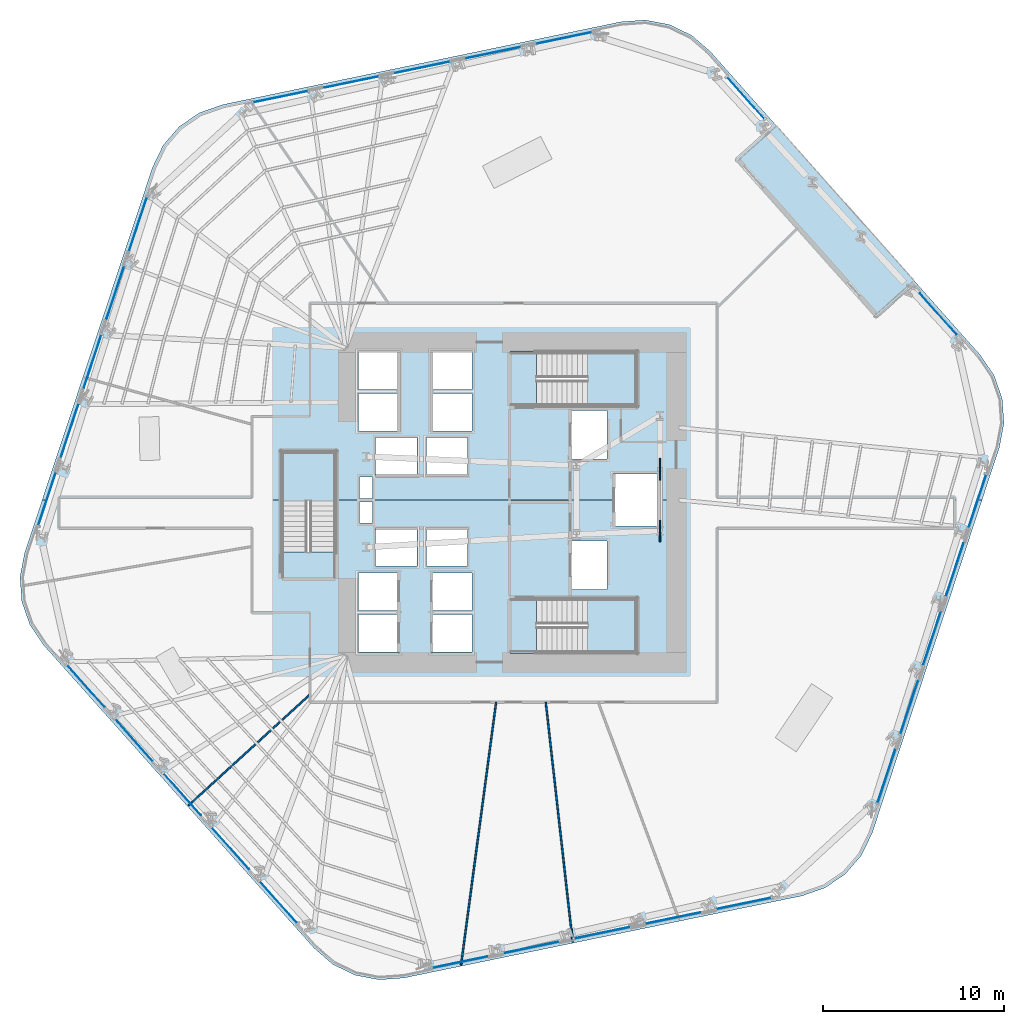
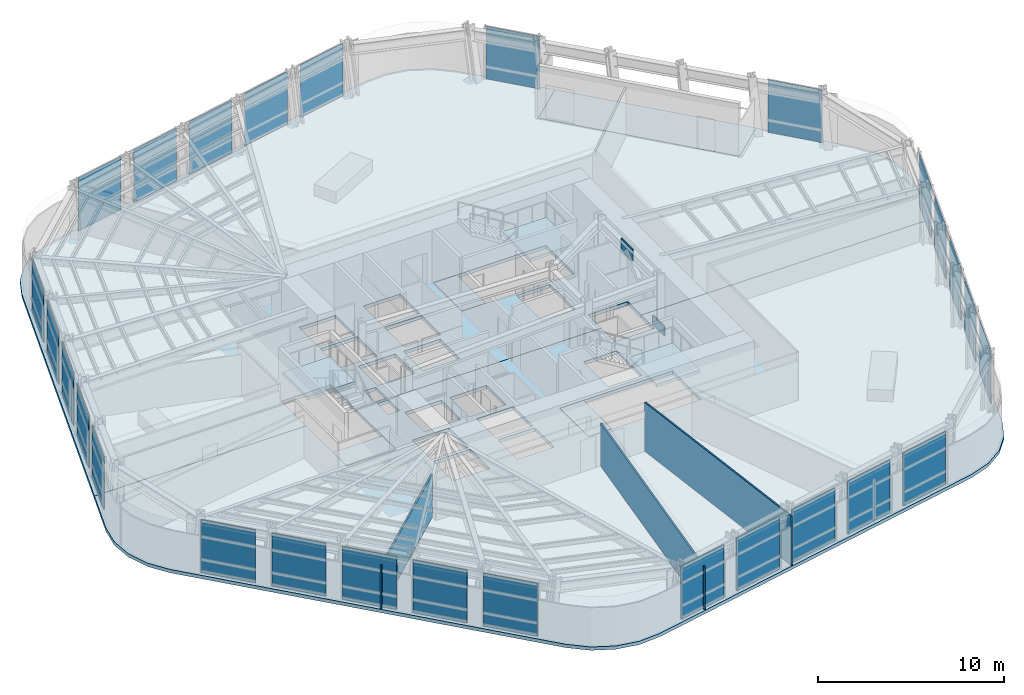
# One storey, part 7 of 17: 29 plates, 9 slabs, 3 walls, 9 elements without a shape of their own.
"""IFC4 building model written with IfcOpenShell, lengths in metres."""

from ifc_helpers import new_model, si_unit, direction, frame, frame_2d, origin, origin_2d, place, context, subcontext, project, spatial, polyline, rectangle, outline, extrude, material, layer, layer_set, type_object, element, aggregate, save


model = new_model("IFC4")

# Units and contexts
model_context = context("Model", 3, precision=1e-05, world=origin(), true_north=direction((0.0, 1.0)))
body_context = subcontext(model_context, "Body", "Model", "MODEL_VIEW")
ifc_project = project(units=[si_unit("LENGTHUNIT", "METRE"), si_unit("AREAUNIT", "SQUARE_METRE"), si_unit("VOLUMEUNIT", "CUBIC_METRE"), si_unit("PLANEANGLEUNIT", "RADIAN"), si_unit("MASSUNIT", "GRAM", prefix="KILO")], contexts=[model_context])

# Site, building, storey
site_placement = place(None, origin())
site = spatial("IfcSite", under=ifc_project, at=site_placement, CompositionType="ELEMENT")
building_placement = place(site_placement, origin())
building = spatial("IfcBuilding", under=site, at=building_placement, Name="Valkerne Bourse Tower", CompositionType="ELEMENT")
storey_placement = place(building_placement, frame((0.0, 0.0, 73.39990234375)))
storey = spatial("IfcBuildingStorey", under=building, at=storey_placement, Name="L18", CompositionType="ELEMENT", Elevation=73.39990234375)

# Curtain wall, plates
ifc_material_1 = material(Name="Aluminium AA 6063-T6", Category="aluminium")
ifc_layer_1 = layer(ifc_material_1, 0.22509765625)
ifc_layer_set_1 = layer_set([ifc_layer_1], Name="Aluminium AA 6063-T6")
curtain_wall_type = type_object("IfcCurtainWallType", Name="CW-01", PredefinedType="NOTDEFINED", material=ifc_layer_set_1)
curtain_wall_1_placement = place(storey_placement, origin())
curtain_wall_1 = element("IfcCurtainWall", 1, at=curtain_wall_1_placement, inside=storey, type_object=curtain_wall_type, Name="L18 Hexagonal Stick Curtain Wall Face 1", PredefinedType="NOTDEFINED")
ifc_material_2 = material(Name="Glass IGU Low-E Double Glazed", Category="glass")
ifc_layer_2 = layer(ifc_material_2, 0.031982421875)
ifc_layer_set_2 = layer_set([ifc_layer_2], Name="Glass IGU Low-E Double Glazed")
plate_type_1 = type_object("IfcPlateType", Name="CW-PNL-IGU-32", PredefinedType="CURTAIN_PANEL", material=ifc_layer_set_2)
plate_1_placement = place(storey_placement, frame((70.313720703125, 37.24609375, 0.030029296875), z_axis=(0.0, 0.0, 1.0), x_axis=(-0.66521771062, 0.746649447517, 0.0)))
plate_1 = element("IfcPlate", 2, at=plate_1_placement, type_object=plate_type_1, Name="CW-L18-F1 Curtain Panel 00", PredefinedType="CURTAIN_PANEL", context=body_context, shape_type="SweptSolid", body=[
    extrude(rectangle(XDim=3.075927734375, YDim=0.031982421875, at=origin_2d()), origin(), (0.0, 0.0, 1.0), 3.4599609375),
])
plate_2_placement = place(storey_placement, frame((59.680908203125, 49.180419921875, 0.030029296875), z_axis=(0.0, 0.0, 1.0), x_axis=(-0.665231661406, 0.746637018011, 0.0)))
plate_2 = element("IfcPlate", 3, at=plate_2_placement, type_object=plate_type_1, Name="CW-L18-F1 Curtain Panel 04", PredefinedType="CURTAIN_PANEL", context=body_context, shape_type="SweptSolid", body=[
    extrude(rectangle(XDim=3.075927734375, YDim=0.031982421875, at=origin_2d()), origin(), (0.0, 0.0, 1.0), 3.4599609375),
])
aggregate(curtain_wall_1, [plate_1, plate_2])

curtain_wall_2_placement = place(storey_placement, origin())
curtain_wall_2 = element("IfcCurtainWall", 4, at=curtain_wall_2_placement, inside=storey, type_object=curtain_wall_type, Name="L18 Hexagonal Stick Curtain Wall Face 2", PredefinedType="NOTDEFINED")
plate_3_placement = place(storey_placement, frame((49.68359375, 52.486572265625, 0.030029296875), z_axis=(0.0, 0.0, 1.0), x_axis=(-0.97922496445, -0.202776894635, 0.0)))
plate_3 = element("IfcPlate", 5, at=plate_3_placement, type_object=plate_type_1, Name="CW-L18-F2 Curtain Panel 00", PredefinedType="CURTAIN_PANEL", context=body_context, shape_type="SweptSolid", body=[
    extrude(rectangle(XDim=3.076171875, YDim=0.031982421875, at=origin_2d()), origin(), (0.0, 0.0, 1.0), 3.4599609375),
])
plate_4_placement = place(storey_placement, frame((45.7705078125, 51.67626953125, 0.030029296875), z_axis=(0.0, 0.0, 1.0), x_axis=(-0.979223935426, -0.202781863804, 0.0)))
plate_4 = element("IfcPlate", 6, at=plate_4_placement, type_object=plate_type_1, Name="CW-L18-F2 Curtain Panel 01", PredefinedType="CURTAIN_PANEL", context=body_context, shape_type="SweptSolid", body=[
    extrude(rectangle(XDim=3.075927734375, YDim=0.031982421875, at=origin_2d()), origin(), (0.0, 0.0, 1.0), 3.4599609375),
])
plate_5_placement = place(storey_placement, frame((41.857666015625, 50.86572265625, 0.030029296875), z_axis=(0.0, 0.0, 1.0), x_axis=(-0.97921999513, -0.202800890378, 0.0)))
plate_5 = element("IfcPlate", 7, at=plate_5_placement, type_object=plate_type_1, Name="CW-L18-F2 Curtain Panel 02", PredefinedType="CURTAIN_PANEL", context=body_context, shape_type="SweptSolid", body=[
    extrude(rectangle(XDim=3.076171875, YDim=0.031982421875, at=origin_2d()), origin(), (0.0, 0.0, 1.0), 3.4599609375),
])
plate_6_placement = place(storey_placement, frame((37.944580078125, 50.055419921875, 0.030029296875), z_axis=(0.0, 0.0, 1.0), x_axis=(-0.97922496445, -0.202776894635, 0.0)))
plate_6 = element("IfcPlate", 8, at=plate_6_placement, type_object=plate_type_1, Name="CW-L18-F2 Curtain Panel 03", PredefinedType="CURTAIN_PANEL", context=body_context, shape_type="SweptSolid", body=[
    extrude(rectangle(XDim=3.076171875, YDim=0.031982421875, at=origin_2d()), origin(), (0.0, 0.0, 1.0), 3.4599609375),
])
plate_7_placement = place(storey_placement, frame((34.031494140625, 49.2451171875, 0.030029296875), z_axis=(0.0, 0.0, 1.0), x_axis=(-0.97921999513, -0.202800890378, 0.0)))
plate_7 = element("IfcPlate", 9, at=plate_7_placement, type_object=plate_type_1, Name="CW-L18-F2 Curtain Panel 04", PredefinedType="CURTAIN_PANEL", context=body_context, shape_type="SweptSolid", body=[
    extrude(rectangle(XDim=3.076171875, YDim=0.031982421875, at=origin_2d()), origin(), (0.0, 0.0, 1.0), 3.4599609375),
])
aggregate(curtain_wall_2, [plate_3, plate_4, plate_5, plate_6, plate_7])

curtain_wall_3_placement = place(storey_placement, origin())
curtain_wall_3 = element("IfcCurtainWall", 10, at=curtain_wall_3_placement, inside=storey, type_object=curtain_wall_type, Name="L18 Hexagonal Stick Curtain Wall Face 3", PredefinedType="NOTDEFINED")
plate_8_placement = place(storey_placement, frame((26.169921875, 42.240478515625, 0.030029296875), z_axis=(0.0, 0.0, 1.0), x_axis=(-0.31398964478, -0.949426407349, 0.0)))
plate_8 = element("IfcPlate", 11, at=plate_8_placement, type_object=plate_type_1, Name="CW-L18-F3 Curtain Panel 00", PredefinedType="CURTAIN_PANEL", context=body_context, shape_type="SweptSolid", body=[
    extrude(rectangle(XDim=3.075927734375, YDim=0.031982421875, at=origin_2d()), origin(), (0.0, 0.0, 1.0), 3.4599609375),
])
plate_9_placement = place(storey_placement, frame((24.9150390625, 38.446533203125, 0.030029296875), z_axis=(0.0, 0.0, 1.0), x_axis=(-0.31398964478, -0.949426407349, 0.0)))
plate_9 = element("IfcPlate", 12, at=plate_9_placement, type_object=plate_type_1, Name="CW-L18-F3 Curtain Panel 01", PredefinedType="CURTAIN_PANEL", context=body_context, shape_type="SweptSolid", body=[
    extrude(rectangle(XDim=3.075927734375, YDim=0.031982421875, at=origin_2d()), origin(), (0.0, 0.0, 1.0), 3.4599609375),
])
plate_10_placement = place(storey_placement, frame((23.660400390625, 34.652587890625, 0.030029296875), z_axis=(0.0, 0.0, 1.0), x_axis=(-0.31398964478, -0.949426407349, 0.0)))
plate_10 = element("IfcPlate", 13, at=plate_10_placement, type_object=plate_type_1, Name="CW-L18-F3 Curtain Panel 02", PredefinedType="CURTAIN_PANEL", context=body_context, shape_type="SweptSolid", body=[
    extrude(rectangle(XDim=3.075927734375, YDim=0.031982421875, at=origin_2d()), origin(), (0.0, 0.0, 1.0), 3.4599609375),
])
plate_11_placement = place(storey_placement, frame((22.40576171875, 30.85888671875, 0.030029296875), z_axis=(0.0, 0.0, 1.0), x_axis=(-0.314012202372, -0.949418946915, 0.0)))
plate_11 = element("IfcPlate", 14, at=plate_11_placement, type_object=plate_type_1, Name="CW-L18-F3 Curtain Panel 03", PredefinedType="CURTAIN_PANEL", context=body_context, shape_type="SweptSolid", body=[
    extrude(rectangle(XDim=3.075927734375, YDim=0.031982421875, at=origin_2d()), origin(), (0.0, 0.0, 1.0), 3.4599609375),
])
plate_12_placement = place(storey_placement, frame((21.15087890625, 27.06494140625, 0.030029296875), z_axis=(0.0, 0.0, 1.0), x_axis=(-0.31398964478, -0.949426407349, 0.0)))
plate_12 = element("IfcPlate", 15, at=plate_12_placement, type_object=plate_type_1, Name="CW-L18-F3 Curtain Panel 04", PredefinedType="CURTAIN_PANEL", context=body_context, shape_type="SweptSolid", body=[
    extrude(rectangle(XDim=3.075927734375, YDim=0.031982421875, at=origin_2d()), origin(), (0.0, 0.0, 1.0), 3.4599609375),
])
aggregate(curtain_wall_3, [plate_8, plate_9, plate_10, plate_11, plate_12])

curtain_wall_4_placement = place(storey_placement, origin())
curtain_wall_4 = element("IfcCurtainWall", 16, at=curtain_wall_4_placement, inside=storey, type_object=curtain_wall_type, Name="L18 Hexagonal Stick Curtain Wall Face 4", PredefinedType="NOTDEFINED")
plate_13_placement = place(storey_placement, frame((23.2861328125, 16.75390625, 0.030029296875), z_axis=(0.0, 0.0, 1.0), x_axis=(0.66521771062, -0.746649447517, 0.0)))
plate_13 = element("IfcPlate", 17, at=plate_13_placement, type_object=plate_type_1, Name="CW-L18-F4 Curtain Panel 00", PredefinedType="CURTAIN_PANEL", context=body_context, shape_type="SweptSolid", body=[
    extrude(rectangle(XDim=3.075927734375, YDim=0.031982421875, at=origin_2d()), origin(), (0.0, 0.0, 1.0), 3.4599609375),
])
plate_14_placement = place(storey_placement, frame((25.9443359375, 13.7705078125, 0.030029296875), z_axis=(0.0, 0.0, 1.0), x_axis=(0.665231661406, -0.746637018011, 0.0)))
plate_14 = element("IfcPlate", 18, at=plate_14_placement, type_object=plate_type_1, Name="CW-L18-F4 Curtain Panel 01", PredefinedType="CURTAIN_PANEL", context=body_context, shape_type="SweptSolid", body=[
    extrude(rectangle(XDim=3.075927734375, YDim=0.031982421875, at=origin_2d()), origin(), (0.0, 0.0, 1.0), 3.4599609375),
])
plate_15_placement = place(storey_placement, frame((28.602783203125, 10.786865234375, 0.030029296875), z_axis=(0.0, 0.0, 1.0), x_axis=(0.665244090986, -0.746625943434, 0.0)))
plate_15 = element("IfcPlate", 19, at=plate_15_placement, type_object=plate_type_1, Name="CW-L18-F4 Curtain Panel 02", PredefinedType="CURTAIN_PANEL", context=body_context, shape_type="SweptSolid", body=[
    extrude(rectangle(XDim=3.075927734375, YDim=0.031982421875, at=origin_2d()), origin(), (0.0, 0.0, 1.0), 3.4599609375),
])
plate_16_placement = place(storey_placement, frame((31.260986328125, 7.80322265625, 0.030029296875), z_axis=(0.0, 0.0, 1.0), x_axis=(0.66521771062, -0.746649447517, 0.0)))
plate_16 = element("IfcPlate", 20, at=plate_16_placement, type_object=plate_type_1, Name="CW-L18-F4 Curtain Panel 03", PredefinedType="CURTAIN_PANEL", context=body_context, shape_type="SweptSolid", body=[
    extrude(rectangle(XDim=3.075927734375, YDim=0.031982421875, at=origin_2d()), origin(), (0.0, 0.0, 1.0), 3.4599609375),
])
plate_17_placement = place(storey_placement, frame((33.919189453125, 4.819580078125, 0.030029296875), z_axis=(0.0, 0.0, 1.0), x_axis=(0.665231661406, -0.746637018011, 0.0)))
plate_17 = element("IfcPlate", 21, at=plate_17_placement, type_object=plate_type_1, Name="CW-L18-F4 Curtain Panel 04", PredefinedType="CURTAIN_PANEL", context=body_context, shape_type="SweptSolid", body=[
    extrude(rectangle(XDim=3.075927734375, YDim=0.031982421875, at=origin_2d()), origin(), (0.0, 0.0, 1.0), 3.4599609375),
])
aggregate(curtain_wall_4, [plate_13, plate_14, plate_15, plate_16, plate_17])

curtain_wall_5_placement = place(storey_placement, origin())
curtain_wall_5 = element("IfcCurtainWall", 22, at=curtain_wall_5_placement, inside=storey, type_object=curtain_wall_type, Name="L18 Hexagonal Stick Curtain Wall Face 5", PredefinedType="NOTDEFINED")
plate_18_placement = place(storey_placement, frame((43.91650390625, 1.513427734375, 0.030029296875), z_axis=(0.0, 0.0, 1.0), x_axis=(0.97922496445, 0.202776894635, 0.0)))
plate_18 = element("IfcPlate", 23, at=plate_18_placement, type_object=plate_type_1, Name="CW-L18-F5 Curtain Panel 00", PredefinedType="CURTAIN_PANEL", context=body_context, shape_type="SweptSolid", body=[
    extrude(rectangle(XDim=3.076171875, YDim=0.031982421875, at=origin_2d()), origin(), (0.0, 0.0, 1.0), 3.4599609375),
])
plate_19_placement = place(storey_placement, frame((47.829345703125, 2.32373046875, 0.030029296875), z_axis=(0.0, 0.0, 1.0), x_axis=(0.979223935426, 0.202781863804, 0.0)))
plate_19 = element("IfcPlate", 24, at=plate_19_placement, type_object=plate_type_1, Name="CW-L18-F5 Curtain Panel 01", PredefinedType="CURTAIN_PANEL", context=body_context, shape_type="SweptSolid", body=[
    extrude(rectangle(XDim=3.075927734375, YDim=0.031982421875, at=origin_2d()), origin(), (0.0, 0.0, 1.0), 3.4599609375),
])
plate_20_placement = place(storey_placement, frame((51.742431640625, 3.134033203125, 0.030029296875), z_axis=(0.0, 0.0, 1.0), x_axis=(0.97921999513, 0.202800890378, 0.0)))
plate_20 = element("IfcPlate", 25, at=plate_20_placement, type_object=plate_type_1, Name="CW-L18-F5 Curtain Panel 02", PredefinedType="CURTAIN_PANEL", context=body_context, shape_type="SweptSolid", body=[
    extrude(rectangle(XDim=3.076171875, YDim=0.031982421875, at=origin_2d()), origin(), (0.0, 0.0, 1.0), 3.4599609375),
])
plate_21_placement = place(storey_placement, frame((55.6552734375, 3.944580078125, 0.030029296875), z_axis=(0.0, 0.0, 1.0), x_axis=(0.97922496445, 0.202776894635, 0.0)))
plate_21 = element("IfcPlate", 26, at=plate_21_placement, type_object=plate_type_1, Name="CW-L18-F5 Curtain Panel 03", PredefinedType="CURTAIN_PANEL", context=body_context, shape_type="SweptSolid", body=[
    extrude(rectangle(XDim=3.076171875, YDim=0.031982421875, at=origin_2d()), origin(), (0.0, 0.0, 1.0), 3.4599609375),
])
plate_22_placement = place(storey_placement, frame((59.568359375, 4.7548828125, 0.030029296875), z_axis=(0.0, 0.0, 1.0), x_axis=(0.97921999513, 0.202800890378, 0.0)))
plate_22 = element("IfcPlate", 27, at=plate_22_placement, type_object=plate_type_1, Name="CW-L18-F5 Curtain Panel 04", PredefinedType="CURTAIN_PANEL", context=body_context, shape_type="SweptSolid", body=[
    extrude(rectangle(XDim=3.076171875, YDim=0.031982421875, at=origin_2d()), origin(), (0.0, 0.0, 1.0), 3.4599609375),
])
aggregate(curtain_wall_5, [plate_18, plate_19, plate_20, plate_21, plate_22])

curtain_wall_6_placement = place(storey_placement, origin())
curtain_wall_6 = element("IfcCurtainWall", 28, at=curtain_wall_6_placement, inside=storey, type_object=curtain_wall_type, Name="L18 Hexagonal Stick Curtain Wall Face 6", PredefinedType="NOTDEFINED")
plate_23_placement = place(storey_placement, frame((67.43017578125, 11.759521484375, 0.030029296875), z_axis=(0.0, 0.0, 1.0), x_axis=(0.31398964478, 0.949426407349, 0.0)))
plate_23 = element("IfcPlate", 29, at=plate_23_placement, type_object=plate_type_1, Name="CW-L18-F6 Curtain Panel 00", PredefinedType="CURTAIN_PANEL", context=body_context, shape_type="SweptSolid", body=[
    extrude(rectangle(XDim=3.075927734375, YDim=0.031982421875, at=origin_2d()), origin(), (0.0, 0.0, 1.0), 3.4599609375),
])
plate_24_placement = place(storey_placement, frame((68.684814453125, 15.553466796875, 0.030029296875), z_axis=(0.0, 0.0, 1.0), x_axis=(0.31398964478, 0.949426407349, 0.0)))
plate_24 = element("IfcPlate", 30, at=plate_24_placement, type_object=plate_type_1, Name="CW-L18-F6 Curtain Panel 01", PredefinedType="CURTAIN_PANEL", context=body_context, shape_type="SweptSolid", body=[
    extrude(rectangle(XDim=3.075927734375, YDim=0.031982421875, at=origin_2d()), origin(), (0.0, 0.0, 1.0), 3.4599609375),
])
plate_25_placement = place(storey_placement, frame((69.939453125, 19.347412109375, 0.030029296875), z_axis=(0.0, 0.0, 1.0), x_axis=(0.31398964478, 0.949426407349, 0.0)))
plate_25 = element("IfcPlate", 31, at=plate_25_placement, type_object=plate_type_1, Name="CW-L18-F6 Curtain Panel 02", PredefinedType="CURTAIN_PANEL", context=body_context, shape_type="SweptSolid", body=[
    extrude(rectangle(XDim=3.075927734375, YDim=0.031982421875, at=origin_2d()), origin(), (0.0, 0.0, 1.0), 3.4599609375),
])
plate_26_placement = place(storey_placement, frame((71.1943359375, 23.14111328125, 0.030029296875), z_axis=(0.0, 0.0, 1.0), x_axis=(0.314012202372, 0.949418946915, 0.0)))
plate_26 = element("IfcPlate", 32, at=plate_26_placement, type_object=plate_type_1, Name="CW-L18-F6 Curtain Panel 03", PredefinedType="CURTAIN_PANEL", context=body_context, shape_type="SweptSolid", body=[
    extrude(rectangle(XDim=3.075927734375, YDim=0.031982421875, at=origin_2d()), origin(), (0.0, 0.0, 1.0), 3.4599609375),
])
plate_27_placement = place(storey_placement, frame((72.448974609375, 26.93505859375, 0.030029296875), z_axis=(0.0, 0.0, 1.0), x_axis=(0.31398964478, 0.949426407349, 0.0)))
plate_27 = element("IfcPlate", 33, at=plate_27_placement, type_object=plate_type_1, Name="CW-L18-F6 Curtain Panel 04", PredefinedType="CURTAIN_PANEL", context=body_context, shape_type="SweptSolid", body=[
    extrude(rectangle(XDim=3.075927734375, YDim=0.031982421875, at=origin_2d()), origin(), (0.0, 0.0, 1.0), 3.4599609375),
])
aggregate(curtain_wall_6, [plate_23, plate_24, plate_25, plate_26, plate_27])

# Plates
ifc_material_3 = material(Name="Steel ASTM A572 Grade 50", Category="steel")
ifc_layer_3 = layer(ifc_material_3, 0.06005859375)
ifc_layer_set_3 = layer_set([ifc_layer_3], Name="Steel ASTM A572 Grade 50")
plate_type_2 = type_object("IfcPlateType", Name="PLT-GUS-60", PredefinedType="SHEET", material=ifc_layer_set_3)
for number, where, z_axis, x_axis, name in (
    (34, (54.949951171875, 25.300048828125, -0.1796875), (0.0, 0.0, 1.0), (0.0, 1.0, 0.0), "L18 Brace Node Gusset Plate PLT-GUS-END-L18-352"),
    (35, (54.949951171875, 28.699951171875, 2.81396484375), (0.0, 0.0, 1.0), (0.0, 1.0, 0.0), "L18 Brace Node Gusset Plate PLT-GUS-END-L18-353"),
):
    element("IfcPlate", number, at=place(storey_placement, frame(where, z_axis=z_axis, x_axis=x_axis)), inside=storey, type_object=plate_type_2, Name=name, PredefinedType="SHEET", context=body_context, shape_type="SweptSolid", body=[
        extrude(rectangle(XDim=1.199951171875, YDim=0.06005859375, at=origin_2d()), origin(), (0.0, 0.0, 1.0), 0.800048828125),
    ])

# Slabs
ifc_material_4 = material(Name="Concrete C40/50", Category="concrete")
ifc_layer_4 = layer(ifc_material_4, 0.25)
ifc_layer_set_4 = layer_set([ifc_layer_4], Name="Concrete C40/50")
slab_type_1 = type_object("IfcSlabType", Name="SLB-RMP-LND-250", PredefinedType="LANDING", material=ifc_layer_set_4)
slab_1_placement = place(storey_placement, frame((0.0, 0.0, -0.219970703125)))
element("IfcSlab", 36, at=slab_1_placement, inside=storey, type_object=slab_type_1, Name="L18 ST-1 Floor Landing Slab", PredefinedType="LANDING", context=body_context, shape_type="SweptSolid", body=[
    extrude(outline(polyline([(46.669921875, 18.5400390625), (48.14990234375, 18.5400390625), (48.14990234375, 21.610107421875), (46.669921875, 21.610107421875), (46.669921875, 18.5400390625)])), origin(), (0.0, 0.0, 1.0), 0.219970703125),
])
slab_2_placement = place(storey_placement, frame((0.0, 0.0, -0.219970703125)))
element("IfcSlab", 37, at=slab_2_placement, inside=storey, type_object=slab_type_1, Name="L18 ST-2 Floor Landing Slab", PredefinedType="LANDING", context=body_context, shape_type="SweptSolid", body=[
    extrude(outline(polyline([(46.669921875, 32.139892578125), (48.14990234375, 32.139892578125), (48.14990234375, 35.2099609375), (46.669921875, 35.2099609375), (46.669921875, 32.139892578125)])), origin(), (0.0, 0.0, 1.0), 0.219970703125),
])
slab_3_placement = place(storey_placement, frame((0.0, 0.0, -0.219970703125)))
element("IfcSlab", 38, at=slab_3_placement, inside=storey, type_object=slab_type_1, Name="L18 ST-3 Floor Landing Slab", PredefinedType="LANDING", context=body_context, shape_type="SweptSolid", body=[
    extrude(outline(polyline([(37.110107421875, 22.669921875), (37.110107421875, 24.14990234375), (34.0400390625, 24.14990234375), (34.0400390625, 22.669921875), (37.110107421875, 22.669921875)])), origin(), (0.0, 0.0, 1.0), 0.219970703125),
])

# Stair, slab
stair_type = type_object("IfcStairType", Name="ST-CORE-1400", PredefinedType="HALF_TURN_STAIR", material=ifc_material_4)
stair_1_placement = place(storey_placement, origin())
stair_1 = element("IfcStair", 39, at=stair_1_placement, inside=storey, type_object=stair_type, Name="L18 ST-1", PredefinedType="HALF_TURN_STAIR")
ifc_layer_5 = layer(ifc_material_4, 0.179931640625)
ifc_layer_set_5 = layer_set([ifc_layer_5], Name="Concrete C40/50")
slab_type_2 = type_object("IfcSlabType", Name="SLB-ST-LND-180", PredefinedType="LANDING", material=ifc_layer_set_5)
slab_4_placement = place(storey_placement, frame((0.0, 0.0, 1.7001953125)))
slab_4 = element("IfcSlab", 40, at=slab_4_placement, type_object=slab_type_2, Name="ST-1 landing 1", PredefinedType="LANDING", context=body_context, shape_type="SweptSolid", body=[
    extrude(outline(polyline([(50.949951171875, 18.60009765625), (53.64990234375, 18.60009765625), (53.64990234375, 21.550048828125), (50.949951171875, 21.550048828125), (50.949951171875, 18.60009765625)])), origin(), (0.0, 0.0, 1.0), 0.199951171875),
])
aggregate(stair_1, [slab_4])

stair_2_placement = place(storey_placement, origin())
stair_2 = element("IfcStair", 41, at=stair_2_placement, inside=storey, type_object=stair_type, Name="L18 ST-2", PredefinedType="HALF_TURN_STAIR")
slab_5_placement = place(storey_placement, frame((0.0, 0.0, 1.7001953125)))
slab_5 = element("IfcSlab", 42, at=slab_5_placement, type_object=slab_type_2, Name="ST-2 landing 1", PredefinedType="LANDING", context=body_context, shape_type="SweptSolid", body=[
    extrude(outline(polyline([(50.949951171875, 32.199951171875), (53.64990234375, 32.199951171875), (53.64990234375, 35.14990234375), (50.949951171875, 35.14990234375), (50.949951171875, 32.199951171875)])), origin(), (0.0, 0.0, 1.0), 0.199951171875),
])
aggregate(stair_2, [slab_5])

stair_3_placement = place(storey_placement, origin())
stair_3 = element("IfcStair", 43, at=stair_3_placement, inside=storey, type_object=stair_type, Name="L18 ST-3", PredefinedType="HALF_TURN_STAIR")
slab_6_placement = place(storey_placement, frame((0.0, 0.0, 1.7001953125)))
slab_6 = element("IfcSlab", 44, at=slab_6_placement, type_object=slab_type_2, Name="ST-3 landing 1", PredefinedType="LANDING", context=body_context, shape_type="SweptSolid", body=[
    extrude(outline(polyline([(37.050048828125, 26.949951171875), (37.050048828125, 29.64990234375), (34.10009765625, 29.64990234375), (34.10009765625, 26.949951171875), (37.050048828125, 26.949951171875)])), origin(), (0.0, 0.0, 1.0), 0.199951171875),
])
aggregate(stair_3, [slab_6])

# Slabs
ifc_layer_6 = layer(ifc_material_4, 0.199951171875)
ifc_layer_set_6 = layer_set([ifc_layer_6], Name="Concrete C40/50")
slab_type_3 = type_object("IfcSlabType", Name="SLB-TER-200", PredefinedType="FLOOR", material=ifc_layer_set_6)
slab_7_placement = place(storey_placement, frame((0.0, 0.0, -0.199951171875)))
element("IfcSlab", 45, at=slab_7_placement, inside=storey, type_object=slab_type_3, Name="L18 V-Notch Stepped Outdoor Terrace Slab", PredefinedType="FLOOR", context=body_context, shape_type="SweptSolid", body=[
    extrude(outline(polyline([(68.959228515625, 39.10888671875), (66.864990234375, 37.242919921875), (59.28125, 45.754638671875), (61.38330078125, 47.62744140625), (68.959228515625, 39.10888671875)])), origin(), (0.0, 0.0, 1.0), 0.199951171875),
])
ifc_layer_7 = layer(ifc_material_4, 0.219970703125)
ifc_layer_set_7 = layer_set([ifc_layer_7], Name="Concrete C40/50")
slab_type_4 = type_object("IfcSlabType", Name="SLB-TOW-220", PredefinedType="FLOOR", material=ifc_layer_set_7)
slab_8_placement = place(storey_placement, frame((0.0, 0.0, -0.219970703125)))
element("IfcSlab", 46, at=slab_8_placement, inside=storey, type_object=slab_type_4, Name="L18 Hexagonal Composite Floor Slab S", PredefinedType="FLOOR", context=body_context, shape_type="SweptSolid", body=[
    extrude(outline(polyline([(66.650634765625, 8.62841796875), (66.059814453125, 7.40625), (65.1728515625, 6.378662109375), (64.05029296875, 5.61572265625), (62.768310546875, 5.169189453125), (40.822509765625, 0.64501953125), (39.468505859375, 0.545654296875), (38.13525390625, 0.800048828125), (36.9130859375, 1.390869140625), (35.885498046875, 2.27783203125), (20.96435546875, 18.994384765625), (20.201416015625, 20.1171875), (19.7548828125, 21.399169921875), (19.655517578125, 22.753173828125), (19.909912109375, 24.08642578125), (20.87646484375, 27.0), (34.034912109375, 27.0), (34.034912109375, 22.6650390625), (37.114990234375, 22.6650390625), (37.114990234375, 27.0), (52.360107421875, 27.0), (52.360107421875, 25.56005859375), (54.840087890625, 25.56005859375), (54.840087890625, 27.0), (72.708251953125, 27.0), (66.650634765625, 8.62841796875)]), holes=[polyline([(40.590087890625, 20.68994140625), (38.31005859375, 20.68994140625), (38.31005859375, 18.610107421875), (40.590087890625, 18.610107421875), (40.590087890625, 20.68994140625)]), polyline([(40.590087890625, 22.989990234375), (38.31005859375, 22.989990234375), (38.31005859375, 20.909912109375), (40.590087890625, 20.909912109375), (40.590087890625, 22.989990234375)]), polyline([(41.5400390625, 25.43994140625), (39.260009765625, 25.43994140625), (39.260009765625, 23.360107421875), (41.5400390625, 23.360107421875), (41.5400390625, 25.43994140625)]), polyline([(39.10009765625, 25.72998046875), (39.10009765625, 26.89990234375), (38.3798828125, 26.89990234375), (38.3798828125, 25.72998046875), (39.10009765625, 25.72998046875)]), polyline([(44.590087890625, 20.68994140625), (42.31005859375, 20.68994140625), (42.31005859375, 18.610107421875), (44.590087890625, 18.610107421875), (44.590087890625, 20.68994140625)]), polyline([(53.675048828125, 21.614990234375), (46.6650390625, 21.614990234375), (46.6650390625, 18.534912109375), (53.675048828125, 18.534912109375), (53.675048828125, 21.614990234375)]), polyline([(44.590087890625, 22.989990234375), (42.31005859375, 22.989990234375), (42.31005859375, 20.909912109375), (44.590087890625, 20.909912109375), (44.590087890625, 22.989990234375)]), polyline([(52.0400390625, 22.06005859375), (52.0400390625, 24.739990234375), (49.9599609375, 24.739990234375), (49.9599609375, 22.06005859375), (52.0400390625, 22.06005859375)]), polyline([(44.340087890625, 23.360107421875), (44.340087890625, 25.43994140625), (42.06005859375, 25.43994140625), (42.06005859375, 23.360107421875), (44.340087890625, 23.360107421875)])]), origin(), (0.0, 0.0, 1.0), 0.219970703125),
])
slab_9_placement = place(storey_placement, frame((0.0, 0.0, -0.219970703125)))
element("IfcSlab", 47, at=slab_9_placement, inside=storey, type_object=slab_type_4, Name="L18 Hexagonal Composite Floor Slab N", PredefinedType="FLOOR", context=body_context, shape_type="SweptSolid", body=[
    extrude(outline(polyline([(73.822265625, 32.595947265625), (73.921630859375, 31.2421875), (73.667236328125, 29.90869140625), (72.708251953125, 27.0), (54.840087890625, 27.0), (54.840087890625, 28.43994140625), (52.360107421875, 28.43994140625), (52.360107421875, 27.0), (37.114990234375, 27.0), (37.114990234375, 29.675048828125), (34.034912109375, 29.675048828125), (34.034912109375, 27.0), (20.87646484375, 27.0), (26.96484375, 45.35400390625), (27.5556640625, 46.576416015625), (28.442626953125, 47.60400390625), (29.565185546875, 48.366943359375), (30.847412109375, 48.813232421875), (52.784912109375, 53.376953125), (54.138671875, 53.476318359375), (55.47216796875, 53.221923828125), (56.6943359375, 52.631103515625), (57.721923828125, 51.744140625), (61.38330078125, 47.62744140625), (59.28125, 45.754638671875), (66.864990234375, 37.242919921875), (68.959228515625, 39.10888671875), (72.61279296875, 35.000732421875), (73.375732421875, 33.8779296875), (73.822265625, 32.595947265625)]), holes=[polyline([(39.10009765625, 28.27001953125), (38.3798828125, 28.27001953125), (38.3798828125, 27.10009765625), (39.10009765625, 27.10009765625), (39.10009765625, 28.27001953125)]), polyline([(41.5400390625, 30.43994140625), (39.260009765625, 30.43994140625), (39.260009765625, 28.360107421875), (41.5400390625, 28.360107421875), (41.5400390625, 30.43994140625)]), polyline([(44.340087890625, 30.43994140625), (42.06005859375, 30.43994140625), (42.06005859375, 28.360107421875), (44.340087890625, 28.360107421875), (44.340087890625, 30.43994140625)]), polyline([(40.590087890625, 30.81005859375), (40.590087890625, 32.889892578125), (38.31005859375, 32.889892578125), (38.31005859375, 30.81005859375), (40.590087890625, 30.81005859375)]), polyline([(40.590087890625, 33.110107421875), (40.590087890625, 35.18994140625), (38.31005859375, 35.18994140625), (38.31005859375, 33.110107421875), (40.590087890625, 33.110107421875)]), polyline([(52.0400390625, 31.93994140625), (49.9599609375, 31.93994140625), (49.9599609375, 29.260009765625), (52.0400390625, 29.260009765625), (52.0400390625, 31.93994140625)]), polyline([(44.590087890625, 32.889892578125), (42.31005859375, 32.889892578125), (42.31005859375, 30.81005859375), (44.590087890625, 30.81005859375), (44.590087890625, 32.889892578125)]), polyline([(53.675048828125, 32.135009765625), (53.675048828125, 35.215087890625), (46.6650390625, 35.215087890625), (46.6650390625, 32.135009765625), (53.675048828125, 32.135009765625)]), polyline([(44.590087890625, 33.110107421875), (44.590087890625, 35.18994140625), (42.31005859375, 35.18994140625), (42.31005859375, 33.110107421875), (44.590087890625, 33.110107421875)])]), origin(), (0.0, 0.0, 1.0), 0.219970703125),
])

# Walls
ifc_material_5 = material(Name="Gypsum Board Steel-Stud Partition", Category="steel")
ifc_layer_8 = layer(ifc_material_5, 0.092041015625)
ifc_layer_set_8 = layer_set([ifc_layer_8], Name="Gypsum Board Steel-Stud Partition")
wall_type = type_object("IfcWallType", Name="W-PART-115", PredefinedType="PARTITIONING", material=ifc_layer_set_8)
wall_1_placement = place(storey_placement, frame((45.91162109375, 15.844970703125, 0.0), z_axis=(0.0, 0.0, 1.0), x_axis=(-0.132251310572, -0.991216218013, 0.0)))
element("IfcWall", 48, at=wall_1_placement, inside=storey, type_object=wall_type, Name="L18 Suite Partition P01", PredefinedType="PARTITIONING", context=body_context, shape_type="SweptSolid", body=[
    extrude(rectangle(XDim=14.605712890625, YDim=0.092041015625, at=frame_2d((7.302734375, 0.0))), origin(), (0.0, 0.0, 1.0), 2.803955078125),
])
wall_2_placement = place(storey_placement, frame((48.651123046875, 15.844970703125, 0.0), z_axis=(0.0, 0.0, 1.0), x_axis=(0.111473721737, -0.993767381917, 0.0)))
element("IfcWall", 49, at=wall_2_placement, inside=storey, type_object=wall_type, Name="L18 Suite Partition P02", PredefinedType="PARTITIONING", context=body_context, shape_type="SweptSolid", body=[
    extrude(rectangle(XDim=13.291748046875, YDim=0.092041015625, at=frame_2d((6.64599609375, 0.0))), origin(), (0.0, 0.0, 1.0), 3.22021484375),
])
wall_3_placement = place(storey_placement, frame((35.64501953125, 16.273681640625, 0.0), z_axis=(0.0, 0.0, 1.0), x_axis=(-0.738678328022, -0.674058104106, 0.0)))
element("IfcWall", 50, at=wall_3_placement, inside=storey, type_object=wall_type, Name="L18 Suite Partition P08", PredefinedType="PARTITIONING", context=body_context, shape_type="SweptSolid", body=[
    extrude(rectangle(XDim=9.0712890625, YDim=0.092041015625, at=frame_2d((4.53564453125, 0.0))), origin(), (0.0, 0.0, 1.0), 2.803955078125),
])

save(model, "model.ifc")
